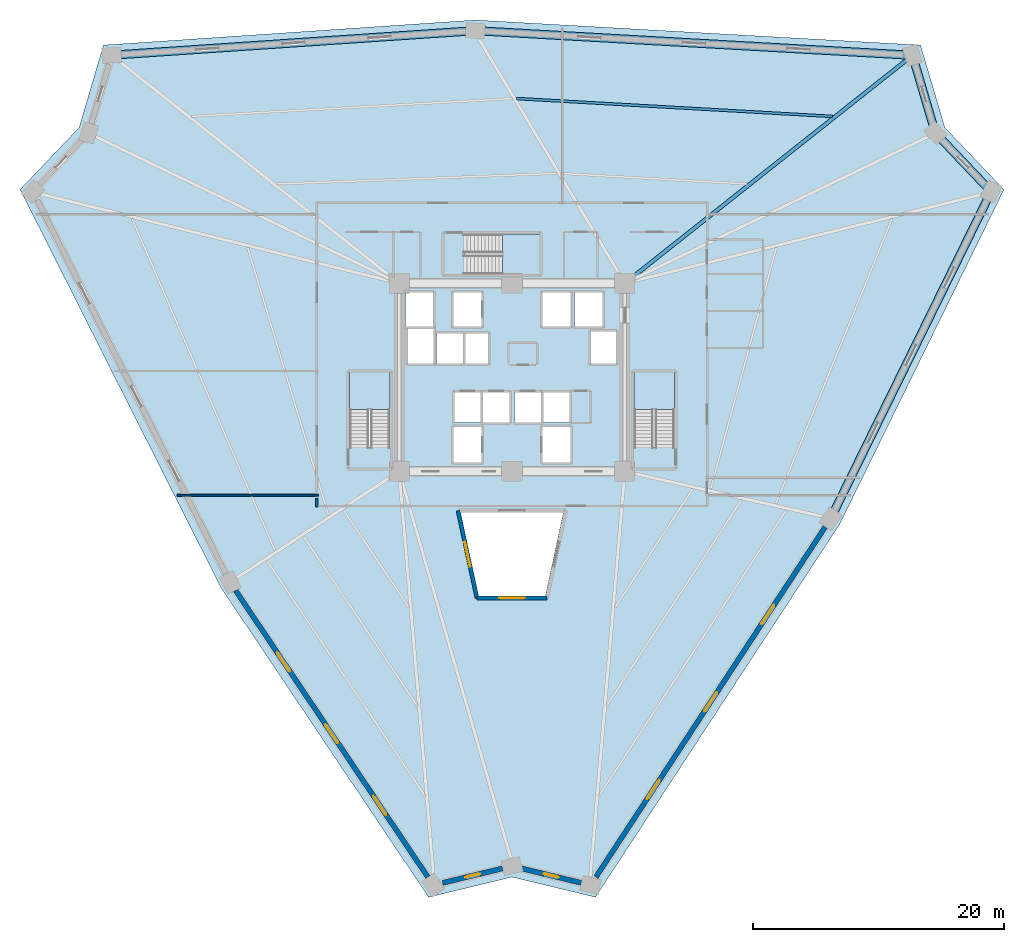
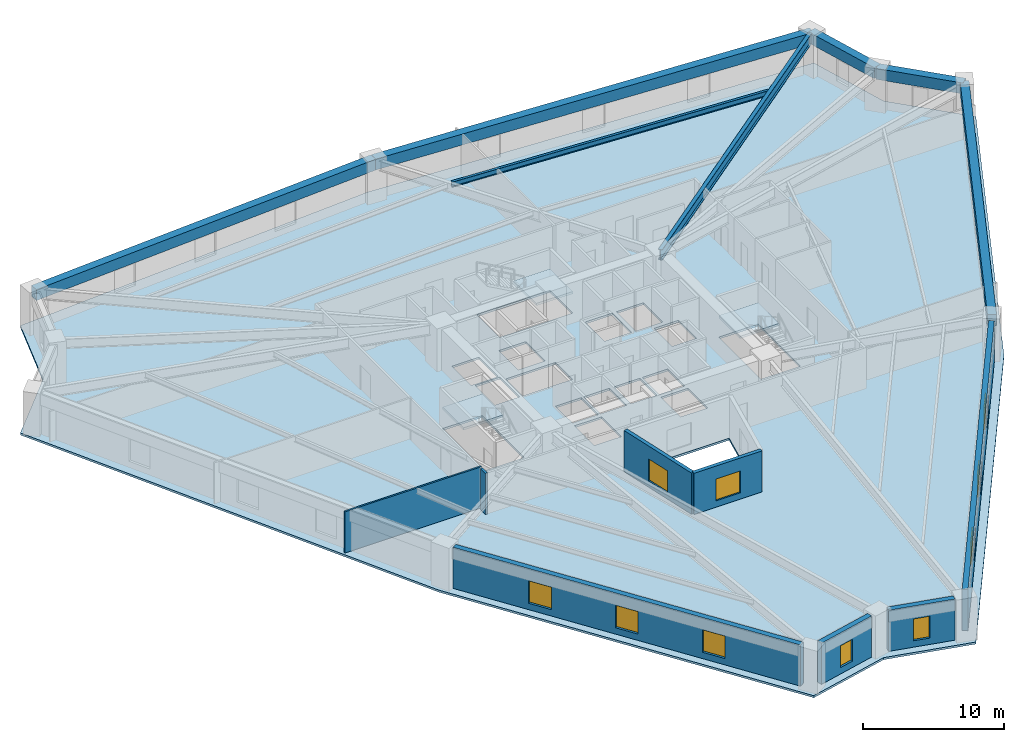
# One storey, part 2 of 8: 10 windows, 8 walls, 7 beams, 4 slabs, 10 openings, 3 elements without a shape of their own.
"""IFC4 building model written with IfcOpenShell, lengths in metres."""

from ifc_helpers import new_model, si_unit, direction, frame, frame_2d, origin, origin_2d, place, context, subcontext, project, spatial, polyline, rectangle, i_section, outline, extrude, source, transform, mapped, material, layer, layer_set, material_profile, profile_set, type_object, element, fill, aggregate, save


model = new_model("IFC4")

# Units and contexts
model_context = context("Model", 3, precision=1e-05, world=origin(), true_north=direction((0.0, 1.0)))
body_context = subcontext(model_context, "Body", "Model", "MODEL_VIEW")
ifc_project = project(units=[si_unit("LENGTHUNIT", "METRE"), si_unit("AREAUNIT", "SQUARE_METRE"), si_unit("VOLUMEUNIT", "CUBIC_METRE"), si_unit("PLANEANGLEUNIT", "RADIAN"), si_unit("MASSUNIT", "GRAM", prefix="KILO")], contexts=[model_context])

# Site, building, storey
site_placement = place(None, origin())
site = spatial("IfcSite", under=ifc_project, at=site_placement, CompositionType="ELEMENT")
building_placement = place(site_placement, origin())
building = spatial("IfcBuilding", under=site, at=building_placement, Name="Liaohun Quay Tower", CompositionType="ELEMENT")
storey_placement = place(building_placement, frame((0.0, 0.0, 70.5)))
storey = spatial("IfcBuildingStorey", under=building, at=storey_placement, Name="L18", CompositionType="ELEMENT", Elevation=70.5)

# Beams
ifc_material_1 = material(Name="Precast concrete C55", Category="concrete")
ifc_material_profile_1 = material_profile(ifc_material_1, rectangle(XDim=0.64990234375, YDim=0.949951171875, at=origin_2d()), Name="RC650x950")
ifc_profile_set_1 = profile_set([ifc_material_profile_1], Name="Precast concrete C55")
beam_type_1 = type_object("IfcBeamType", Name="BM-SPD-Z1", PredefinedType="SPANDREL", material=ifc_profile_set_1)
shared_shape_1 = source(origin(), body_context, "Body", "SweptSolid", [
    extrude(rectangle(XDim=0.64990234375, YDim=0.949951171875, at=origin_2d()), origin(), (0.0, 0.0, 1.0), 29.07080078125),
])
beam_1_placement = place(storey_placement, frame((28.068115234375, 79.68505859375, 3.094970703125), z_axis=(0.997736549096, 0.067244171481, 0.0), x_axis=(-0.067244171481, 0.997736549096, 0.0)))
element("IfcBeam", 1, at=beam_1_placement, inside=storey, type_object=beam_type_1, Name="L18 Precast Spandrel Beam PC05-PC06", PredefinedType="SPANDREL", context=body_context, shape_type="MappedRepresentation", body=[
    mapped(shared_shape_1, transform((0.0, 0.0, 0.0), x_axis=(1.0, 0.0, 0.0), y_axis=(0.0, 1.0, 0.0), z_axis=(0.0, 0.0, 1.0), scale=1.0)),
])
shared_shape_2 = source(origin(), body_context, "Body", "SweptSolid", [
    extrude(rectangle(XDim=0.64990234375, YDim=0.949951171875, at=origin_2d()), origin(), (0.0, 0.0, 1.0), 34.916259765625),
])
beam_2_placement = place(storey_placement, frame((57.072998046875, 81.639892578125, 3.094970703125), z_axis=(0.998420141994, -0.056189145402, 0.0), x_axis=(0.056189145402, 0.998420141994, 0.0)))
element("IfcBeam", 2, at=beam_2_placement, inside=storey, type_object=beam_type_1, Name="L18 Precast Spandrel Beam PC06-PC07", PredefinedType="SPANDREL", context=body_context, shape_type="MappedRepresentation", body=[
    mapped(shared_shape_2, transform((0.0, 0.0, 0.0), x_axis=(1.0, 0.0, 0.0), y_axis=(0.0, 1.0, 0.0), z_axis=(0.0, 0.0, 1.0), scale=1.0)),
])
shared_shape_3 = source(origin(), body_context, "Body", "SweptSolid", [
    extrude(rectangle(XDim=0.64990234375, YDim=0.949951171875, at=origin_2d()), origin(), (0.0, 0.0, 1.0), 6.451171875),
])
beam_3_placement = place(storey_placement, frame((91.93408203125, 79.677978515625, 3.094970703125), z_axis=(0.28273381669, -0.959198409559, 0.0), x_axis=(0.959198409559, 0.28273381669, 0.0)))
element("IfcBeam", 3, at=beam_3_placement, inside=storey, type_object=beam_type_1, Name="L18 Precast Spandrel Beam PC07-PC08", PredefinedType="SPANDREL", context=body_context, shape_type="MappedRepresentation", body=[
    mapped(shared_shape_3, transform((0.0, 0.0, 0.0), x_axis=(1.0, 0.0, 0.0), y_axis=(0.0, 1.0, 0.0), z_axis=(0.0, 0.0, 1.0), scale=1.0)),
])
shared_shape_4 = source(origin(), body_context, "Body", "SweptSolid", [
    extrude(rectangle(XDim=0.64990234375, YDim=0.949951171875, at=origin_2d()), origin(), (0.0, 0.0, 1.0), 6.457763671875),
])
beam_4_placement = place(storey_placement, frame((93.758056640625, 73.489990234375, 3.094970703125), z_axis=(0.689231192671, -0.724541484699, 0.0), x_axis=(0.724541484699, 0.689231192671, 0.0)))
element("IfcBeam", 4, at=beam_4_placement, inside=storey, type_object=beam_type_1, Name="L18 Precast Spandrel Beam PC08-PC09", PredefinedType="SPANDREL", context=body_context, shape_type="MappedRepresentation", body=[
    mapped(shared_shape_4, transform((0.0, 0.0, 0.0), x_axis=(1.0, 0.0, 0.0), y_axis=(0.0, 1.0, 0.0), z_axis=(0.0, 0.0, 1.0), scale=1.0)),
])
shared_shape_5 = source(origin(), body_context, "Body", "SweptSolid", [
    extrude(rectangle(XDim=0.64990234375, YDim=0.949951171875, at=origin_2d()), origin(), (0.0, 0.0, 1.0), 29.06884765625),
])
beam_5_placement = place(storey_placement, frame((98.208984375, 68.81103515625, 3.094970703125), z_axis=(-0.440613510447, -0.897696905649, 0.0), x_axis=(0.897696905649, -0.440613510447, 0.0)))
element("IfcBeam", 5, at=beam_5_placement, inside=storey, type_object=beam_type_1, Name="L18 Precast Spandrel Beam PC09-PC10", PredefinedType="SPANDREL", context=body_context, shape_type="MappedRepresentation", body=[
    mapped(shared_shape_5, transform((0.0, 0.0, 0.0), x_axis=(1.0, 0.0, 0.0), y_axis=(0.0, 1.0, 0.0), z_axis=(0.0, 0.0, 1.0), scale=1.0)),
])
ifc_material_2 = material(Name="Steel Q420D", Category="steel")
ifc_material_profile_2 = material_profile(ifc_material_2, i_section(OverallWidth=0.300048828125, OverallDepth=0.89990234375, WebThickness=0.01611328125, FlangeThickness=0.028076171875, at=origin_2d()), Name="HN900x300x16x28")
ifc_profile_set_2 = profile_set([ifc_material_profile_2], Name="Steel Q420D")
beam_type_2 = type_object("IfcBeamType", Name="BM-RAD-H1", PredefinedType="BEAM", material=ifc_profile_set_2)
shared_shape_6 = source(origin(), body_context, "Body", "SweptSolid", [
    extrude(i_section(OverallWidth=0.300048828125, OverallDepth=0.89990234375, WebThickness=0.01611328125, FlangeThickness=0.028076171875, at=origin_2d()), origin(), (0.0, 0.0, 1.0), 28.9189453125),
])
beam_6_placement = place(storey_placement, frame((69.0, 61.5, 3.1201171875), z_axis=(0.783775959665, 0.621043674029, 0.0), x_axis=(-0.621043674029, 0.783775959665, 0.0)))
element("IfcBeam", 6, at=beam_6_placement, inside=storey, type_object=beam_type_2, Name="L18 Radial Primary Girder CC4-PC07", PredefinedType="BEAM", context=body_context, shape_type="MappedRepresentation", body=[
    mapped(shared_shape_6, transform((0.0, 0.0, 0.0), x_axis=(1.0, 0.0, 0.0), y_axis=(0.0, 1.0, 0.0), z_axis=(0.0, 0.0, 1.0), scale=1.0)),
])
ifc_material_3 = material(Name="Steel Q355D", Category="steel")
ifc_material_profile_3 = material_profile(ifc_material_3, i_section(OverallWidth=0.199951171875, OverallDepth=0.449951171875, WebThickness=0.009033203125, FlangeThickness=0.013916015625, at=origin_2d()), Name="HN450x200x9x14")
ifc_profile_set_3 = profile_set([ifc_material_profile_3], Name="Steel Q355D")
beam_type_3 = type_object("IfcBeamType", Name="BM-SEC-J1", PredefinedType="JOIST", material=ifc_profile_set_3)
shared_shape_7 = source(origin(), body_context, "Body", "SweptSolid", [
    extrude(i_section(OverallWidth=0.199951171875, OverallDepth=0.449951171875, WebThickness=0.009033203125, FlangeThickness=0.013916015625, at=origin_2d()), origin(), (0.0, 0.0, 1.0), 25.21435546875),
])
beam_7_placement = place(storey_placement, frame((60.373046875, 76.22900390625, 3.344970703125), z_axis=(0.99839943277, -0.056555924925, 0.0), x_axis=(0.056555924925, 0.99839943277, 0.0)))
element("IfcBeam", 7, at=beam_7_placement, inside=storey, type_object=beam_type_3, Name="L18 Wing Secondary Floor Joist SJ-09", PredefinedType="JOIST", context=body_context, shape_type="MappedRepresentation", body=[
    mapped(shared_shape_7, transform((0.0, 0.0, 0.0), x_axis=(1.0, 0.0, 0.0), y_axis=(0.0, 1.0, 0.0), z_axis=(0.0, 0.0, 1.0), scale=1.0)),
])

# Stair, slab
ifc_material_4 = material(Name="Concrete C45", Category="concrete")
stair_type = type_object("IfcStairType", Name="STR-CORE-OFF", PredefinedType="HALF_TURN_STAIR", material=ifc_material_4)
stair_1_placement = place(storey_placement, origin())
stair_1 = element("IfcStair", 8, at=stair_1_placement, inside=storey, type_object=stair_type, Name="L18 Smokeproof Core Exit Stair ST-1", PredefinedType="HALF_TURN_STAIR")
ifc_layer_1 = layer(ifc_material_4, 0.199951171875, Name="Concrete C45", Category="concrete")
ifc_layer_set_1 = layer_set([ifc_layer_1], Name="Concrete C45")
slab_type_1 = type_object("IfcSlabType", Name="SLB-LND-200", PredefinedType="LANDING", material=ifc_layer_set_1)
slab_1_placement = place(storey_placement, frame((0.0, 0.0, 1.675048828125)))
slab_1 = element("IfcSlab", 9, at=slab_1_placement, type_object=slab_type_1, Name="ST-1 landing 1", PredefinedType="LANDING", context=body_context, shape_type="SweptSolid", body=[
    extrude(outline(polyline([(50.280029296875, 51.429931640625), (50.280029296875, 54.419921875), (47.0400390625, 54.419921875), (47.0400390625, 51.429931640625), (50.280029296875, 51.429931640625)])), origin(), (0.0, 0.0, 1.0), 0.199951171875),
])
aggregate(stair_1, [slab_1])

stair_2_placement = place(storey_placement, origin())
stair_2 = element("IfcStair", 10, at=stair_2_placement, inside=storey, type_object=stair_type, Name="L18 Smokeproof Core Exit Stair ST-2", PredefinedType="HALF_TURN_STAIR")
slab_2_placement = place(storey_placement, frame((0.0, 0.0, 1.675048828125)))
slab_2 = element("IfcSlab", 11, at=slab_2_placement, type_object=slab_type_1, Name="ST-2 landing 1", PredefinedType="LANDING", context=body_context, shape_type="SweptSolid", body=[
    extrude(outline(polyline([(72.9599609375, 51.429931640625), (72.9599609375, 54.419921875), (69.719970703125, 54.419921875), (69.719970703125, 51.429931640625), (72.9599609375, 51.429931640625)])), origin(), (0.0, 0.0, 1.0), 0.199951171875),
])
aggregate(stair_2, [slab_2])

stair_3_placement = place(storey_placement, origin())
stair_3 = element("IfcStair", 12, at=stair_3_placement, inside=storey, type_object=stair_type, Name="L18 Smokeproof Core Exit Stair ST-3", PredefinedType="HALF_TURN_STAIR")
slab_3_placement = place(storey_placement, frame((0.0, 0.0, 1.675048828125)))
slab_3 = element("IfcSlab", 13, at=slab_3_placement, type_object=slab_type_1, Name="ST-3 landing 1", PredefinedType="LANDING", context=body_context, shape_type="SweptSolid", body=[
    extrude(outline(polyline([(59.22998046875, 62.199951171875), (62.219970703125, 62.199951171875), (62.219970703125, 65.43994140625), (59.22998046875, 65.43994140625), (59.22998046875, 62.199951171875)])), origin(), (0.0, 0.0, 1.0), 0.199951171875),
])
aggregate(stair_3, [slab_3])

# Slab
ifc_layer_2 = layer(ifc_material_4, 0.179931640625, Name="Concrete C45", Category="concrete")
ifc_layer_set_2 = layer_set([ifc_layer_2], Name="Concrete C45")
slab_type_2 = type_object("IfcSlabType", Name="SLB-OFF-180", PredefinedType="FLOOR", material=ifc_layer_set_2)
slab_4_placement = place(storey_placement, frame((0.0, 0.0, -0.179931640625)))
element("IfcSlab", 14, at=slab_4_placement, inside=storey, type_object=slab_type_2, Name="L18 Structural Floor Slab", PredefinedType="FLOOR", context=body_context, shape_type="SweptSolid", body=[
    extrude(outline(polyline([(53.345947265625, 12.5390625), (60.0, 14.14599609375), (66.654052734375, 12.5390625), (86.14111328125, 42.2939453125), (99.23291015625, 68.968017578125), (94.514892578125, 73.927001953125), (92.580078125, 80.492919921875), (57.068115234375, 82.491943359375), (27.419921875, 80.492919921875), (25.485107421875, 73.927001953125), (20.76708984375, 68.968017578125), (36.7919921875, 37.215087890625), (53.345947265625, 12.5390625)]), holes=[polyline([(57.56005859375, 47.2099609375), (57.56005859375, 50.030029296875), (55.340087890625, 50.030029296875), (55.340087890625, 47.2099609375), (57.56005859375, 47.2099609375)]), polyline([(50.280029296875, 54.419921875), (47.0400390625, 54.419921875), (47.0400390625, 48.409912109375), (50.280029296875, 48.409912109375), (50.280029296875, 54.419921875)]), polyline([(57.510009765625, 50.389892578125), (57.510009765625, 52.81005859375), (55.389892578125, 52.81005859375), (55.389892578125, 50.389892578125), (57.510009765625, 50.389892578125)]), polyline([(59.81005859375, 50.389892578125), (59.81005859375, 52.81005859375), (57.68994140625, 52.81005859375), (57.68994140625, 50.389892578125), (59.81005859375, 50.389892578125)]), polyline([(58.110107421875, 57.510009765625), (53.989990234375, 57.510009765625), (53.989990234375, 55.090087890625), (58.110107421875, 55.090087890625), (58.110107421875, 57.510009765625)]), polyline([(53.760009765625, 55.090087890625), (53.760009765625, 57.909912109375), (51.7099609375, 57.909912109375), (51.7099609375, 55.090087890625), (53.760009765625, 55.090087890625)]), polyline([(51.489990234375, 58.0400390625), (53.7099609375, 58.0400390625), (53.7099609375, 60.7900390625), (51.489990234375, 60.7900390625), (51.489990234375, 58.0400390625)]), polyline([(55.340087890625, 58.0400390625), (57.56005859375, 58.0400390625), (57.56005859375, 60.7900390625), (55.340087890625, 60.7900390625), (55.340087890625, 58.0400390625)]), polyline([(62.658935546875, 36.576904296875), (64.091064453125, 43.199951171875), (55.908935546875, 43.199951171875), (57.341064453125, 36.576904296875), (62.658935546875, 36.576904296875)]), polyline([(64.659912109375, 47.2099609375), (64.659912109375, 50.030029296875), (62.43994140625, 50.030029296875), (62.43994140625, 47.2099609375), (64.659912109375, 47.2099609375)]), polyline([(72.9599609375, 54.419921875), (69.719970703125, 54.419921875), (69.719970703125, 48.409912109375), (72.9599609375, 48.409912109375), (72.9599609375, 54.419921875)]), polyline([(62.31005859375, 50.389892578125), (62.31005859375, 52.81005859375), (60.18994140625, 52.81005859375), (60.18994140625, 50.389892578125), (62.31005859375, 50.389892578125)]), polyline([(64.610107421875, 50.389892578125), (64.610107421875, 52.81005859375), (62.489990234375, 52.81005859375), (62.489990234375, 50.389892578125), (64.610107421875, 50.389892578125)]), polyline([(68.2900390625, 55.090087890625), (68.2900390625, 57.659912109375), (66.2900390625, 57.659912109375), (66.2900390625, 55.090087890625), (68.2900390625, 55.090087890625)]), polyline([(64.659912109375, 58.0400390625), (64.659912109375, 60.7900390625), (62.43994140625, 60.7900390625), (62.43994140625, 58.0400390625), (64.659912109375, 58.0400390625)]), polyline([(64.989990234375, 58.0400390625), (67.2099609375, 58.0400390625), (67.2099609375, 60.7900390625), (64.989990234375, 60.7900390625), (64.989990234375, 58.0400390625)]), polyline([(56.2099609375, 62.199951171875), (62.219970703125, 62.199951171875), (62.219970703125, 65.43994140625), (56.2099609375, 65.43994140625), (56.2099609375, 62.199951171875)])]), origin(), (0.0, 0.0, 1.0), 0.179931640625),
])

# Wall, opening, window
ifc_material_5 = material(Name="Concrete C50", Category="concrete")
ifc_layer_3 = layer(ifc_material_5, 0.300048828125, Name="Concrete C50", Category="concrete")
ifc_layer_set_3 = layer_set([ifc_layer_3], Name="Concrete C50")
wall_type_1 = type_object("IfcWallType", Name="WAL-ATR-300", PredefinedType="SOLIDWALL", material=ifc_layer_set_3)
wall_1_placement = place(storey_placement, frame((57.2041015625, 36.406982421875, 0.0), z_axis=(0.0, 0.0, 1.0), x_axis=(-0.211408002859, 0.977397900718, 0.0)))
wall_1 = element("IfcWall", 15, at=wall_1_placement, inside=storey, type_object=wall_type_1, Name="L18 Atrium Fire Compartment Wall 1", PredefinedType="SOLIDWALL", context=body_context, shape_type="SweptSolid", body=[
    extrude(rectangle(XDim=7.124267578125, YDim=0.300048828125, at=frame_2d((3.56201171875, 0.0))), origin(), (0.0, 0.0, 1.0), 3.570068359375),
])
shared_shape_8 = source(origin(), body_context, "Body", "SweptSolid", [
    extrude(rectangle(XDim=2.0, YDim=1.89990234375, at=frame_2d((1.0, 0.949951171875))), frame((0.0, 0.159912109375, 0.0), z_axis=(0.0, -1.0, 0.0), x_axis=(1.0, 0.0, 0.0)), (0.0, 0.0, 1.0), 0.320068359375),
])
opening_1_placement = place(wall_1_placement, frame((2.56201171875, 0.0, 0.550048828125)))
opening_1 = element("IfcOpeningElement", 16, at=opening_1_placement, cuts=wall_1, Name="Opening W07", PredefinedType="OPENING", context=body_context, shape_type="MappedRepresentation", body=[
    mapped(shared_shape_8, transform((0.0, 0.0, 0.0), x_axis=(1.0, 0.0, 0.0), y_axis=(0.0, 1.0, 0.0), z_axis=(0.0, 0.0, 1.0), scale=1.0)),
])
ifc_material_6 = material(Name="Class A 180-min fire-resistant insulated glazing", Category="glass")
window_type_1 = type_object("IfcWindowType", Name="WIN-ATR-FIR", PartitioningType="DOUBLE_PANEL_VERTICAL", PredefinedType="WINDOW", material=ifc_material_6)
shared_shape_9 = source(origin(), body_context, "Body", "SweptSolid", [
    extrude(rectangle(XDim=2.0, YDim=1.89990234375, at=frame_2d((1.0, 0.949951171875))), frame((0.0, 0.030029296875, 0.0), z_axis=(0.0, -1.0, 0.0), x_axis=(1.0, 0.0, 0.0)), (0.0, 0.0, 1.0), 0.06005859375),
])
window_1_placement = place(opening_1_placement, origin())
window_1 = element("IfcWindow", 17, at=window_1_placement, inside=storey, type_object=window_type_1, Name="L18 Atrium Fire-Resistant Glazing W07-1", OverallHeight=1.89990234375, OverallWidth=2.0, PartitioningType="DOUBLE_PANEL_VERTICAL", PredefinedType="WINDOW", context=body_context, shape_type="MappedRepresentation", body=[
    mapped(shared_shape_9, transform((0.0, 0.0, 0.0), x_axis=(1.0, 0.0, 0.0), y_axis=(0.0, 1.0, 0.0), z_axis=(0.0, 0.0, 1.0), scale=1.0)),
])
fill(opening_1, window_1)

wall_2_placement = place(storey_placement, frame((62.7958984375, 36.406982421875, 0.0), z_axis=(0.0, 0.0, 1.0), x_axis=(-1.0, 0.0, 0.0)))
wall_2 = element("IfcWall", 18, at=wall_2_placement, inside=storey, type_object=wall_type_1, Name="L18 Atrium Fire Compartment Wall 4", PredefinedType="SOLIDWALL", context=body_context, shape_type="SweptSolid", body=[
    extrude(rectangle(XDim=5.591796875, YDim=0.300048828125, at=frame_2d((2.7958984375, 0.0))), origin(), (0.0, 0.0, 1.0), 3.570068359375),
])
opening_2_placement = place(wall_2_placement, frame((1.7958984375, 0.0, 0.550048828125)))
opening_2 = element("IfcOpeningElement", 19, at=opening_2_placement, cuts=wall_2, Name="Opening W07", PredefinedType="OPENING", context=body_context, shape_type="MappedRepresentation", body=[
    mapped(shared_shape_8, transform((0.0, 0.0, 0.0), x_axis=(1.0, 0.0, 0.0), y_axis=(0.0, 1.0, 0.0), z_axis=(0.0, 0.0, 1.0), scale=1.0)),
])
window_2_placement = place(opening_2_placement, origin())
window_2 = element("IfcWindow", 20, at=window_2_placement, inside=storey, type_object=window_type_1, Name="L18 Atrium Fire-Resistant Glazing W07-4", OverallHeight=1.89990234375, OverallWidth=2.0, PartitioningType="DOUBLE_PANEL_VERTICAL", PredefinedType="WINDOW", context=body_context, shape_type="MappedRepresentation", body=[
    mapped(shared_shape_9, transform((0.0, 0.0, 0.0), x_axis=(1.0, 0.0, 0.0), y_axis=(0.0, 1.0, 0.0), z_axis=(0.0, 0.0, 1.0), scale=1.0)),
])
fill(opening_2, window_2)

ifc_material_7 = material(Name="Precast concrete C50 insulated sandwich", Category="concrete")
ifc_layer_4 = layer(ifc_material_7, 0.419921875, Name="Precast concrete C50 insulated sandwich", Category="concrete")
ifc_layer_set_4 = layer_set([ifc_layer_4], Name="Precast concrete C50 insulated sandwich")
wall_type_2 = type_object("IfcWallType", Name="WAL-EXT-Z12", PredefinedType="SOLIDWALL", material=ifc_layer_set_4)
wall_3_placement = place(storey_placement, frame((60.743896484375, 14.840087890625, 0.0), z_axis=(0.0, 0.0, 1.0), x_axis=(0.972106008819, -0.234541910152, 0.0)))
wall_3 = element("IfcWall", 21, at=wall_3_placement, inside=storey, type_object=wall_type_2, Name="L18 Brutalist Precast Pier Wall 01", PredefinedType="SOLIDWALL", context=body_context, shape_type="SweptSolid", body=[
    extrude(rectangle(XDim=4.92041015625, YDim=0.419921875, at=frame_2d((2.460205078125, 0.0))), origin(), (0.0, 0.0, 1.0), 3.570068359375),
])
shared_shape_10 = source(origin(), body_context, "Body", "SweptSolid", [
    extrude(rectangle(XDim=1.199951171875, YDim=1.89990234375, at=frame_2d((0.60009765625, 0.949951171875))), frame((0.0, 0.219970703125, 0.0), z_axis=(0.0, -1.0, 0.0), x_axis=(1.0, 0.0, 0.0)), (0.0, 0.0, 1.0), 0.43994140625),
])
opening_3_placement = place(wall_3_placement, frame((1.860107421875, 0.0, 0.550048828125)))
opening_3 = element("IfcOpeningElement", 22, at=opening_3_placement, cuts=wall_3, Name="Opening W05", PredefinedType="OPENING", context=body_context, shape_type="MappedRepresentation", body=[
    mapped(shared_shape_10, transform((0.0, 0.0, 0.0), x_axis=(1.0, 0.0, 0.0), y_axis=(0.0, 1.0, 0.0), z_axis=(0.0, 0.0, 1.0), scale=1.0)),
])
ifc_material_8 = material(Name="Triple Low-E corner notch glazing", Category="glass")
window_type_2 = type_object("IfcWindowType", Name="WIN-NOTCH", PartitioningType="SINGLE_PANEL", PredefinedType="WINDOW", material=ifc_material_8)
shared_shape_11 = source(origin(), body_context, "Body", "SweptSolid", [
    extrude(rectangle(XDim=1.199951171875, YDim=1.89990234375, at=frame_2d((0.60009765625, 0.949951171875))), frame((0.0, 0.030029296875, 0.0), z_axis=(0.0, -1.0, 0.0), x_axis=(1.0, 0.0, 0.0)), (0.0, 0.0, 1.0), 0.06005859375),
])
window_3_placement = place(opening_3_placement, origin())
window_3 = element("IfcWindow", 23, at=window_3_placement, inside=storey, type_object=window_type_2, Name="L18 Corner Notch Window W05-01", OverallHeight=1.89990234375, OverallWidth=1.199951171875, PartitioningType="SINGLE_PANEL", PredefinedType="WINDOW", context=body_context, shape_type="MappedRepresentation", body=[
    mapped(shared_shape_11, transform((0.0, 0.0, 0.0), x_axis=(1.0, 0.0, 0.0), y_axis=(0.0, 1.0, 0.0), z_axis=(0.0, 0.0, 1.0), scale=1.0)),
])
fill(opening_3, window_3)

# Wall, openings, windows
wall_4_placement = place(storey_placement, frame((66.68994140625, 14.14599609375, 0.0), z_axis=(0.0, 0.0, 1.0), x_axis=(0.547881051704, 0.836556246276, 0.0)))
wall_4 = element("IfcWall", 24, at=wall_4_placement, inside=storey, type_object=wall_type_2, Name="L18 Brutalist Precast Pier Wall 02", PredefinedType="SOLIDWALL", context=body_context, shape_type="SweptSolid", body=[
    extrude(rectangle(XDim=33.38671875, YDim=0.419921875, at=frame_2d((16.693359375, 0.0))), origin(), (0.0, 0.0, 1.0), 3.570068359375),
])
shared_shape_12 = source(origin(), body_context, "Body", "SweptSolid", [
    extrude(rectangle(XDim=1.800048828125, YDim=1.949951171875, at=frame_2d((0.89990234375, 0.97509765625))), frame((0.0, 0.219970703125, 0.0), z_axis=(0.0, -1.0, 0.0), x_axis=(1.0, 0.0, 0.0)), (0.0, 0.0, 1.0), 0.43994140625),
])
opening_4_placement = place(wall_4_placement, frame((7.447021484375, 0.0, 0.550048828125)))
opening_4 = element("IfcOpeningElement", 25, at=opening_4_placement, cuts=wall_4, Name="Opening W01", PredefinedType="OPENING", context=body_context, shape_type="MappedRepresentation", body=[
    mapped(shared_shape_12, transform((0.0, 0.0, 0.0), x_axis=(1.0, 0.0, 0.0), y_axis=(0.0, 1.0, 0.0), z_axis=(0.0, 0.0, 1.0), scale=1.0)),
])
opening_5_placement = place(wall_4_placement, frame((15.79296875, 0.0, 0.550048828125)))
opening_5 = element("IfcOpeningElement", 26, at=opening_5_placement, cuts=wall_4, Name="Opening W01", PredefinedType="OPENING", context=body_context, shape_type="MappedRepresentation", body=[
    mapped(shared_shape_12, transform((0.0, 0.0, 0.0), x_axis=(1.0, 0.0, 0.0), y_axis=(0.0, 1.0, 0.0), z_axis=(0.0, 0.0, 1.0), scale=1.0)),
])
opening_6_placement = place(wall_4_placement, frame((24.139892578125, 0.0, 0.550048828125)))
opening_6 = element("IfcOpeningElement", 27, at=opening_6_placement, cuts=wall_4, Name="Opening W01", PredefinedType="OPENING", context=body_context, shape_type="MappedRepresentation", body=[
    mapped(shared_shape_12, transform((0.0, 0.0, 0.0), x_axis=(1.0, 0.0, 0.0), y_axis=(0.0, 1.0, 0.0), z_axis=(0.0, 0.0, 1.0), scale=1.0)),
])
ifc_material_9 = material(Name="Triple Low-E argon glazing in thermally broken aluminium", Category="aluminium")
window_type_3 = type_object("IfcWindowType", Name="WIN-PUN-Z1", PartitioningType="DOUBLE_PANEL_VERTICAL", PredefinedType="WINDOW", material=ifc_material_9)
shared_shape_13 = source(origin(), body_context, "Body", "SweptSolid", [
    extrude(rectangle(XDim=1.800048828125, YDim=1.949951171875, at=frame_2d((0.89990234375, 0.97509765625))), frame((0.0, 0.030029296875, 0.0), z_axis=(0.0, -1.0, 0.0), x_axis=(1.0, 0.0, 0.0)), (0.0, 0.0, 1.0), 0.06005859375),
])
window_4_placement = place(opening_4_placement, origin())
window_4 = element("IfcWindow", 28, at=window_4_placement, inside=storey, type_object=window_type_3, Name="L18 Recessed Cold-Climate Punched Window 02-1", OverallHeight=1.949951171875, OverallWidth=1.800048828125, PartitioningType="DOUBLE_PANEL_VERTICAL", PredefinedType="WINDOW", context=body_context, shape_type="MappedRepresentation", body=[
    mapped(shared_shape_13, transform((0.0, 0.0, 0.0), x_axis=(1.0, 0.0, 0.0), y_axis=(0.0, 1.0, 0.0), z_axis=(0.0, 0.0, 1.0), scale=1.0)),
])
fill(opening_4, window_4)
window_5_placement = place(opening_5_placement, origin())
window_5 = element("IfcWindow", 29, at=window_5_placement, inside=storey, type_object=window_type_3, Name="L18 Recessed Cold-Climate Punched Window 02-2", OverallHeight=1.949951171875, OverallWidth=1.800048828125, PartitioningType="DOUBLE_PANEL_VERTICAL", PredefinedType="WINDOW", context=body_context, shape_type="MappedRepresentation", body=[
    mapped(shared_shape_13, transform((0.0, 0.0, 0.0), x_axis=(1.0, 0.0, 0.0), y_axis=(0.0, 1.0, 0.0), z_axis=(0.0, 0.0, 1.0), scale=1.0)),
])
fill(opening_5, window_5)
window_6_placement = place(opening_6_placement, origin())
window_6 = element("IfcWindow", 30, at=window_6_placement, inside=storey, type_object=window_type_3, Name="L18 Recessed Cold-Climate Punched Window 02-3", OverallHeight=1.949951171875, OverallWidth=1.800048828125, PartitioningType="DOUBLE_PANEL_VERTICAL", PredefinedType="WINDOW", context=body_context, shape_type="MappedRepresentation", body=[
    mapped(shared_shape_13, transform((0.0, 0.0, 0.0), x_axis=(1.0, 0.0, 0.0), y_axis=(0.0, 1.0, 0.0), z_axis=(0.0, 0.0, 1.0), scale=1.0)),
])
fill(opening_6, window_6)

wall_5_placement = place(storey_placement, frame((37.952880859375, 37.010009765625, 0.0), z_axis=(0.0, 0.0, 1.0), x_axis=(0.557101576922, -0.830444358757, 0.0)))
wall_5 = element("IfcWall", 31, at=wall_5_placement, inside=storey, type_object=wall_type_2, Name="L18 Brutalist Precast Pier Wall 11", PredefinedType="SOLIDWALL", context=body_context, shape_type="SweptSolid", body=[
    extrude(rectangle(XDim=27.540771484375, YDim=0.419921875, at=frame_2d((13.7705078125, 0.0))), origin(), (0.0, 0.0, 1.0), 3.570068359375),
])
opening_7_placement = place(wall_5_placement, frame((5.985107421875, 0.0, 0.550048828125)))
opening_7 = element("IfcOpeningElement", 32, at=opening_7_placement, cuts=wall_5, Name="Opening W01", PredefinedType="OPENING", context=body_context, shape_type="MappedRepresentation", body=[
    mapped(shared_shape_12, transform((0.0, 0.0, 0.0), x_axis=(1.0, 0.0, 0.0), y_axis=(0.0, 1.0, 0.0), z_axis=(0.0, 0.0, 1.0), scale=1.0)),
])
opening_8_placement = place(wall_5_placement, frame((12.8701171875, 0.0, 0.550048828125)))
opening_8 = element("IfcOpeningElement", 33, at=opening_8_placement, cuts=wall_5, Name="Opening W01", PredefinedType="OPENING", context=body_context, shape_type="MappedRepresentation", body=[
    mapped(shared_shape_12, transform((0.0, 0.0, 0.0), x_axis=(1.0, 0.0, 0.0), y_axis=(0.0, 1.0, 0.0), z_axis=(0.0, 0.0, 1.0), scale=1.0)),
])
opening_9_placement = place(wall_5_placement, frame((19.756103515625, 0.0, 0.550048828125)))
opening_9 = element("IfcOpeningElement", 34, at=opening_9_placement, cuts=wall_5, Name="Opening W01", PredefinedType="OPENING", context=body_context, shape_type="MappedRepresentation", body=[
    mapped(shared_shape_12, transform((0.0, 0.0, 0.0), x_axis=(1.0, 0.0, 0.0), y_axis=(0.0, 1.0, 0.0), z_axis=(0.0, 0.0, 1.0), scale=1.0)),
])
window_7_placement = place(opening_7_placement, origin())
window_7 = element("IfcWindow", 35, at=window_7_placement, inside=storey, type_object=window_type_3, Name="L18 Recessed Cold-Climate Punched Window 11-1", OverallHeight=1.949951171875, OverallWidth=1.800048828125, PartitioningType="DOUBLE_PANEL_VERTICAL", PredefinedType="WINDOW", context=body_context, shape_type="MappedRepresentation", body=[
    mapped(shared_shape_13, transform((0.0, 0.0, 0.0), x_axis=(1.0, 0.0, 0.0), y_axis=(0.0, 1.0, 0.0), z_axis=(0.0, 0.0, 1.0), scale=1.0)),
])
fill(opening_7, window_7)
window_8_placement = place(opening_8_placement, origin())
window_8 = element("IfcWindow", 36, at=window_8_placement, inside=storey, type_object=window_type_3, Name="L18 Recessed Cold-Climate Punched Window 11-2", OverallHeight=1.949951171875, OverallWidth=1.800048828125, PartitioningType="DOUBLE_PANEL_VERTICAL", PredefinedType="WINDOW", context=body_context, shape_type="MappedRepresentation", body=[
    mapped(shared_shape_13, transform((0.0, 0.0, 0.0), x_axis=(1.0, 0.0, 0.0), y_axis=(0.0, 1.0, 0.0), z_axis=(0.0, 0.0, 1.0), scale=1.0)),
])
fill(opening_8, window_8)
window_9_placement = place(opening_9_placement, origin())
window_9 = element("IfcWindow", 37, at=window_9_placement, inside=storey, type_object=window_type_3, Name="L18 Recessed Cold-Climate Punched Window 11-3", OverallHeight=1.949951171875, OverallWidth=1.800048828125, PartitioningType="DOUBLE_PANEL_VERTICAL", PredefinedType="WINDOW", context=body_context, shape_type="MappedRepresentation", body=[
    mapped(shared_shape_13, transform((0.0, 0.0, 0.0), x_axis=(1.0, 0.0, 0.0), y_axis=(0.0, 1.0, 0.0), z_axis=(0.0, 0.0, 1.0), scale=1.0)),
])
fill(opening_9, window_9)

# Wall, opening, window
wall_6_placement = place(storey_placement, frame((54.466064453125, 13.68408203125, 0.0), z_axis=(0.0, 0.0, 1.0), x_axis=(0.972091949921, 0.23460017242, 0.0)))
wall_6 = element("IfcWall", 38, at=wall_6_placement, inside=storey, type_object=wall_type_2, Name="L18 Brutalist Precast Pier Wall 12", PredefinedType="SOLIDWALL", context=body_context, shape_type="SweptSolid", body=[
    extrude(rectangle(XDim=4.927490234375, YDim=0.419921875, at=frame_2d((2.4638671875, 0.0))), origin(), (0.0, 0.0, 1.0), 3.570068359375),
])
opening_10_placement = place(wall_6_placement, frame((1.864013671875, 0.0, 0.550048828125)))
opening_10 = element("IfcOpeningElement", 39, at=opening_10_placement, cuts=wall_6, Name="Opening W05", PredefinedType="OPENING", context=body_context, shape_type="MappedRepresentation", body=[
    mapped(shared_shape_10, transform((0.0, 0.0, 0.0), x_axis=(1.0, 0.0, 0.0), y_axis=(0.0, 1.0, 0.0), z_axis=(0.0, 0.0, 1.0), scale=1.0)),
])
window_10_placement = place(opening_10_placement, origin())
window_10 = element("IfcWindow", 40, at=window_10_placement, inside=storey, type_object=window_type_2, Name="L18 Corner Notch Window W05-12", OverallHeight=1.89990234375, OverallWidth=1.199951171875, PartitioningType="SINGLE_PANEL", PredefinedType="WINDOW", context=body_context, shape_type="MappedRepresentation", body=[
    mapped(shared_shape_11, transform((0.0, 0.0, 0.0), x_axis=(1.0, 0.0, 0.0), y_axis=(0.0, 1.0, 0.0), z_axis=(0.0, 0.0, 1.0), scale=1.0)),
])
fill(opening_10, window_10)

# Walls
ifc_material_10 = material(Name="Autoclaved aerated concrete blockwork", Category="masonry")
ifc_layer_5 = layer(ifc_material_10, 0.179931640625, Name="Autoclaved aerated concrete blockwork", Category="masonry")
ifc_layer_set_5 = layer_set([ifc_layer_5], Name="Autoclaved aerated concrete blockwork")
wall_type_3 = type_object("IfcWallType", Name="WAL-PRT-COR", PredefinedType="PARTITIONING", material=ifc_layer_set_5)
wall_7_placement = place(storey_placement, frame((44.43994140625, 43.669921875, 0.0), z_axis=(0.0, 0.0, 1.0), x_axis=(0.0, 1.0, 0.0)))
element("IfcWall", 41, at=wall_7_placement, inside=storey, type_object=wall_type_3, Name="L18 Interior Partition Wall 034", PredefinedType="PARTITIONING", context=body_context, shape_type="SweptSolid", body=[
    extrude(rectangle(XDim=0.715087890625, YDim=0.179931640625, at=frame_2d((0.357421875, 0.0))), origin(), (0.0, 0.0, 1.0), 3.570068359375),
])
ifc_material_11 = material(Name="Gypsum board on twin steel studs", Category="steel")
ifc_layer_6 = layer(ifc_material_11, 0.139892578125, Name="Gypsum board on twin steel studs", Category="steel")
ifc_layer_set_6 = layer_set([ifc_layer_6], Name="Gypsum board on twin steel studs")
wall_type_4 = type_object("IfcWallType", Name="WAL-PRT-OFF", PredefinedType="PARTITIONING", material=ifc_layer_set_6)
wall_8_placement = place(storey_placement, frame((44.5400390625, 44.60009765625, 0.0), z_axis=(0.0, 0.0, 1.0), x_axis=(-1.0, 0.0, 0.0)))
element("IfcWall", 42, at=wall_8_placement, inside=storey, type_object=wall_type_4, Name="L18 Interior Partition Wall 036", PredefinedType="PARTITIONING", context=body_context, shape_type="SweptSolid", body=[
    extrude(rectangle(XDim=11.22900390625, YDim=0.139892578125, at=frame_2d((5.614501953125, 0.0))), origin(), (0.0, 0.0, 1.0), 3.570068359375),
])

save(model, "model.ifc")
